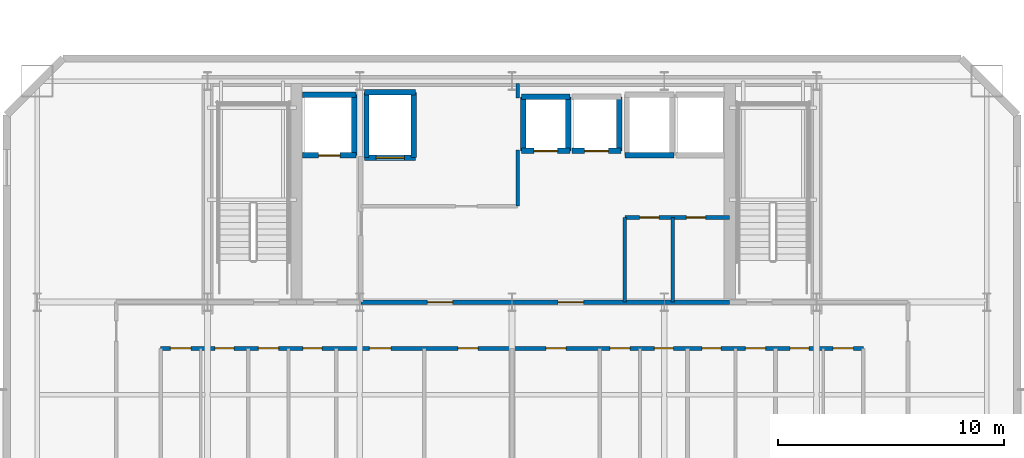
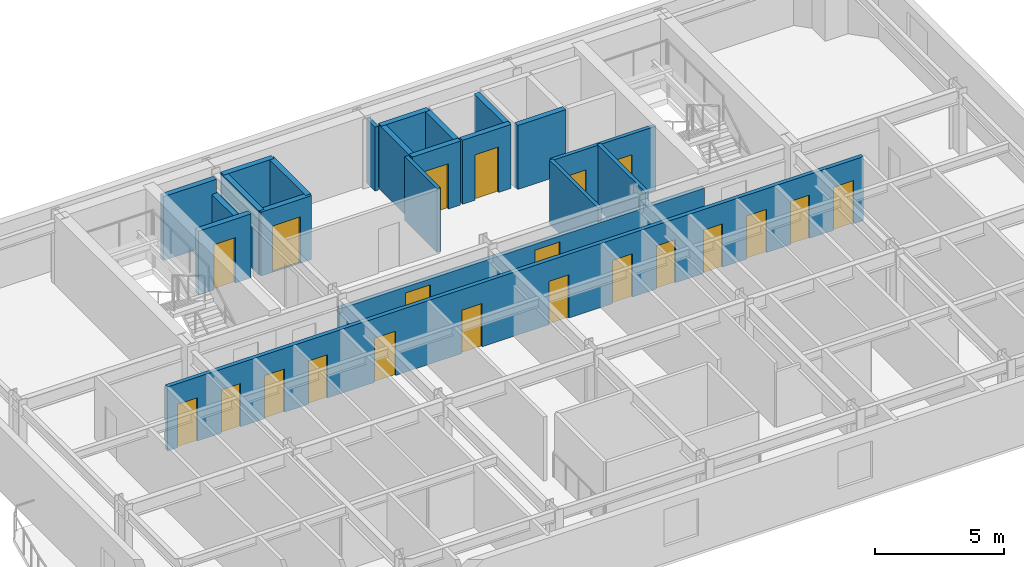
# One storey, part 6 of 14: 21 doors, 21 walls, 21 openings.
"""IFC4 building model written with IfcOpenShell, lengths in metres."""

import ifcopenshell
import ifcopenshell.guid

model = None  # the IFC model being written
_history = None  # IfcOwnerHistory: only IFC2X3 demands one
_inside = {}  # id of a spatial element -> (the spatial element, [elements in it])
_under = {}  # id of a project, library or spatial element -> (it, [spatial elements below it])
_declared = {}  # id of a project -> (the project, [libraries it declares])
_typed = {}  # id of a type object -> (the type object, [elements of that type])
_made_of = {}  # id of a material, layer set ... -> (it, [elements and type objects made of it])


def new_model(schema):
    """Start an empty IFC model of exactly this schema.

    Asked for "IFC4X3", IfcOpenShell would pick the latest addendum, in which some entities
    have other attributes; the version numbers below select the first issue.
    IFC2X3 requires an IfcOwnerHistory on every rooted entity: one is made here for all.
    """
    global model, _history
    if schema == "IFC4X3":
        model = ifcopenshell.file(schema_version=(4, 3, 0, 0))
    else:
        model = ifcopenshell.file(schema=schema)
    _inside.clear()
    _under.clear()
    _declared.clear()
    _typed.clear()
    _made_of.clear()
    _history = None
    if model.schema == "IFC2X3":
        org = make("IfcOrganization", Name="unknown")
        user = make(
            "IfcPersonAndOrganization",
            ThePerson=make("IfcPerson", FamilyName="unknown"),
            TheOrganization=org,
        )
        app = make(
            "IfcApplication",
            ApplicationDeveloper=org,
            Version="unknown",
            ApplicationFullName="unknown",
            ApplicationIdentifier="unknown",
        )
        _history = make(
            "IfcOwnerHistory",
            OwningUser=user,
            OwningApplication=app,
            ChangeAction="ADDED",
            CreationDate=0,
        )
    return model


def make(cls, **values):
    """One entity of the class cls with the attributes given. An attribute that is None is left unset."""
    return model.create_entity(
        cls, **{name: value for name, value in values.items() if value is not None}
    )


def rooted(cls, **values):
    """An entity with a GlobalId (a new one), such as an element, a storey or a relation."""
    return make(cls, GlobalId=ifcopenshell.guid.new(), OwnerHistory=_history, **values)


def si_unit(unit_type, name, prefix=None):
    """IfcSIUnit, for example si_unit("LENGTHUNIT", "METRE", prefix="MILLI")."""
    return make("IfcSIUnit", UnitType=unit_type, Prefix=prefix, Name=name)


def assignment(units):
    """IfcUnitAssignment: the units of a project."""
    return None if units is None else make("IfcUnitAssignment", Units=units)


def point(xyz):
    """IfcCartesianPoint."""
    return None if xyz is None else make("IfcCartesianPoint", Coordinates=xyz)


def direction(xyz):
    """IfcDirection."""
    return None if xyz is None else make("IfcDirection", DirectionRatios=xyz)


def frame(location, z_axis=None, x_axis=None):
    """IfcAxis2Placement3D, a coordinate frame: its origin and axes. An axis left out is left unset."""
    return make(
        "IfcAxis2Placement3D",
        Location=point(location),
        Axis=direction(z_axis),
        RefDirection=direction(x_axis),
    )


def frame_2d(location, x_axis=None):
    """IfcAxis2Placement2D, a coordinate frame in the plane: its origin and x axis."""
    return make(
        "IfcAxis2Placement2D", Location=point(location), RefDirection=direction(x_axis)
    )


def origin():
    """The frame at (0, 0, 0) with its axes left unset."""
    return frame((0.0, 0.0, 0.0))


def place(relative_to, where):
    """IfcLocalPlacement: puts the frame where relative to a parent placement (None: the world)."""
    return make(
        "IfcLocalPlacement", PlacementRelTo=relative_to, RelativePlacement=where
    )


def context(
    kind, dimensions, precision=None, world=None, true_north=None, identifier=None
):
    """IfcGeometricRepresentationContext, for example the 3D "Model" context."""
    return make(
        "IfcGeometricRepresentationContext",
        ContextIdentifier=identifier,
        ContextType=kind,
        CoordinateSpaceDimension=dimensions,
        Precision=precision,
        WorldCoordinateSystem=world,
        TrueNorth=true_north,
    )


def subcontext(parent, identifier, kind, view, scale=None):
    """IfcGeometricRepresentationSubContext, for example "Body" below "Model"."""
    return make(
        "IfcGeometricRepresentationSubContext",
        ContextIdentifier=identifier,
        ContextType=kind,
        ParentContext=parent,
        TargetScale=scale,
        TargetView=view,
    )


def project(units=None, contexts=None):
    """IfcProject with its units and contexts."""
    return rooted(
        "IfcProject",
        Name="project",
        RepresentationContexts=contexts,
        UnitsInContext=assignment(units),
    )


def spatial(cls, under=None, at=None, **own):
    """A site, building, storey or space (cls), placed at a placement, below another one or the project."""
    s = rooted(cls, ObjectPlacement=at, **own)
    if under is not None:
        _under.setdefault(under.id(), (under, []))[1].append(s)
    return s


def profile(cls, at=None, kind="AREA", **sizes):
    """A parametric profile (cls). Its sizes go by their IFC names, for example OverallWidth=200.0."""
    return make(cls, ProfileType=kind, Position=at, **sizes)


def rectangle(**sizes):
    """IfcRectangleProfileDef."""
    return profile("IfcRectangleProfileDef", **sizes)


def extrude(swept, where, along, depth):
    """IfcExtrudedAreaSolid: the profile swept, set in the frame where, extruded along a direction by depth."""
    return make(
        "IfcExtrudedAreaSolid",
        SweptArea=swept,
        Position=where,
        ExtrudedDirection=direction(along),
        Depth=depth,
    )


def shape(context_of_items, identifier, shape_type, items):
    """IfcShapeRepresentation: the items that make up one representation, for example the "Body"."""
    return make(
        "IfcShapeRepresentation",
        ContextOfItems=context_of_items,
        RepresentationIdentifier=identifier,
        RepresentationType=shape_type,
        Items=items,
    )


def material(Name=None, Category=None):
    """IfcMaterial."""
    return make("IfcMaterial", Name=Name, Category=Category)


def layer(
    of_material, thickness, ventilated=None, Name=None, Category=None, Priority=None
):
    """IfcMaterialLayer: one layer of a wall or slab, of a material (None: an air gap)."""
    return make(
        "IfcMaterialLayer",
        Material=of_material,
        LayerThickness=thickness,
        IsVentilated=ventilated,
        Name=Name,
        Category=Category,
        Priority=Priority,
    )


def layer_set(layers, Name=None):
    """IfcMaterialLayerSet."""
    return make("IfcMaterialLayerSet", MaterialLayers=layers, LayerSetName=Name)


def made_of(thing, what):
    """Note that an element or type object is made of a material, layer set ...; save() writes the relation."""
    if what is not None:
        _made_of.setdefault(what.id(), (what, []))[1].append(thing)
    return thing


def type_object(cls, material=None, **own):
    """A type object (cls), such as IfcWallType, which elements share."""
    return made_of(rooted(cls, **own), material)


def element(
    cls,
    number,
    at=None,
    inside=None,
    cuts=None,
    type_object=None,
    material=None,
    context=None,
    identifier="Body",
    shape_type=None,
    held_by="IfcProductDefinitionShape",
    body=None,
    shapes=None,
    **own,
):
    """One element of the class cls, such as IfcWall. Its Tag is "e" and its number.

    at: its placement. inside: the storey or other place that contains it. cuts: it is an
    opening in that element (IfcRelVoidsElement). A single representation is given by context,
    identifier, shape_type and body (its items); several are given by shapes. held_by: the class
    of the entity that holds the representations. save() writes the other relations.
    """
    e = rooted(cls, Tag="e%d" % number, ObjectPlacement=at, **own)
    if body is not None:
        shapes = [shape(context, identifier, shape_type, body)]
    if shapes is not None:
        e.Representation = make(held_by, Representations=shapes)
    if inside is not None:
        _inside.setdefault(inside.id(), (inside, []))[1].append(e)
    if cuts is not None:
        rooted(
            "IfcRelVoidsElement", RelatingBuildingElement=cuts, RelatedOpeningElement=e
        )
    if type_object is not None:
        _typed.setdefault(type_object.id(), (type_object, []))[1].append(e)
    return made_of(e, material)


def fill(opening, filler):
    """IfcRelFillsElement: the door or window that sits in an opening."""
    return rooted(
        "IfcRelFillsElement",
        RelatingOpeningElement=opening,
        RelatedBuildingElement=filler,
    )


def aggregate(whole, parts):
    """IfcRelAggregates: a whole, such as a stair, and the parts it consists of."""
    return rooted("IfcRelAggregates", RelatingObject=whole, RelatedObjects=parts)


def save(model, path):
    """Write the relations noted so far, then the file.

    IfcRelAggregates (storeys below a building ...), IfcRelContainedInSpatialStructure (elements
    in a storey), IfcRelDefinesByType, IfcRelAssociatesMaterial and IfcRelDeclares: one each for
    every whole, place, type object, material and project.
    """
    for whole, parts in _under.values():
        aggregate(whole, parts)
    for where, things in _inside.values():
        rooted(
            "IfcRelContainedInSpatialStructure",
            RelatedElements=things,
            RelatingStructure=where,
        )
    for kind, things in _typed.values():
        rooted("IfcRelDefinesByType", RelatedObjects=things, RelatingType=kind)
    for what, things in _made_of.values():
        rooted("IfcRelAssociatesMaterial", RelatedObjects=things, RelatingMaterial=what)
    for by, libraries in _declared.values():
        rooted("IfcRelDeclares", RelatingContext=by, RelatedDefinitions=libraries)
    model.write(path)


model = new_model("IFC4")

# Units and contexts
model_context = context("Model", 3, precision=1e-05, world=origin(), true_north=direction((0.0, 1.0)))
body_context = subcontext(model_context, "Body", "Model", "MODEL_VIEW")
ifc_project = project(units=[si_unit("LENGTHUNIT", "METRE"), si_unit("AREAUNIT", "SQUARE_METRE"), si_unit("VOLUMEUNIT", "CUBIC_METRE"), si_unit("PLANEANGLEUNIT", "RADIAN"), si_unit("MASSUNIT", "GRAM", prefix="KILO")], contexts=[model_context])

# Site, building, storey
site_placement = place(None, origin())
site = spatial("IfcSite", under=ifc_project, at=site_placement, CompositionType="ELEMENT")
building_placement = place(site_placement, origin())
building = spatial("IfcBuilding", under=site, at=building_placement, Name="Haevon Station Towers", CompositionType="ELEMENT")
storey_placement = place(building_placement, frame((0.0, 0.0, 116.39990234375)))
storey = spatial("IfcBuildingStorey", under=building, at=storey_placement, Name="L31", CompositionType="ELEMENT", Elevation=116.39990234375)

# Wall, openings, doors
ifc_material_1 = material(Name="Gypsum board on steel stud", Category="steel")
ifc_layer_1 = layer(ifc_material_1, 0.179931640625)
ifc_layer_set_1 = layer_set([ifc_layer_1], Name="Gypsum board on steel stud")
wall_type_1 = type_object("IfcWallType", Name="WL-ACU180", PredefinedType="PARTITIONING", material=ifc_layer_set_1)
wall_1_placement = place(storey_placement, frame((21.919921875, 36.14990234375, 0.0), z_axis=(0.0, 0.0, 1.0), x_axis=(1.0, 0.0, 0.0)))
wall_1 = element("IfcWall", 1, at=wall_1_placement, inside=storey, type_object=wall_type_1, Name="WL-T1PT-L31-30", PredefinedType="PARTITIONING", context=body_context, shape_type="SweptSolid", body=[
    extrude(rectangle(XDim=31.16015625, YDim=0.179931640625, at=frame_2d((15.580078125, 0.0))), origin(), (0.0, 0.0, 1.0), 3.030029296875),
])
opening_1_placement = place(wall_1_placement, frame((2.412109375, 0.0, 0.0)))
opening_1 = element("IfcOpeningElement", 2, at=opening_1_placement, cuts=wall_1, Name="Opening DR-WL-T1PT-L31-30-01", PredefinedType="OPENING", context=body_context, shape_type="SweptSolid", body=[
    extrude(rectangle(XDim=0.85009765625, YDim=2.050048828125, at=frame_2d((0.425048828125, 1.02490234375))), frame((0.0, 0.099853515625, 0.0), z_axis=(0.0, -1.0, 0.0), x_axis=(1.0, 0.0, 0.0)), (0.0, 0.0, 1.0), 0.199951171875),
])
opening_2_placement = place(wall_1_placement, frame((0.43994140625, 0.0, 0.0)))
opening_2 = element("IfcOpeningElement", 3, at=opening_2_placement, cuts=wall_1, Name="Opening DR-WL-T1PT-L31-30-02", PredefinedType="OPENING", context=body_context, shape_type="SweptSolid", body=[
    extrude(rectangle(XDim=0.89990234375, YDim=2.050048828125, at=frame_2d((0.449951171875, 1.02490234375))), frame((0.0, 0.099853515625, 0.0), z_axis=(0.0, -1.0, 0.0), x_axis=(1.0, 0.0, 0.0)), (0.0, 0.0, 1.0), 0.199951171875),
])
opening_3_placement = place(wall_1_placement, frame((6.306884765625, 0.0, 0.0)))
opening_3 = element("IfcOpeningElement", 4, at=opening_3_placement, cuts=wall_1, Name="Opening DR-WL-T1PT-L31-30-03", PredefinedType="OPENING", context=body_context, shape_type="SweptSolid", body=[
    extrude(rectangle(XDim=0.85009765625, YDim=2.050048828125, at=frame_2d((0.425048828125, 1.02490234375))), frame((0.0, 0.099853515625, 0.0), z_axis=(0.0, -1.0, 0.0), x_axis=(1.0, 0.0, 0.0)), (0.0, 0.0, 1.0), 0.199951171875),
])
opening_4_placement = place(wall_1_placement, frame((4.3349609375, 0.0, 0.0)))
opening_4 = element("IfcOpeningElement", 5, at=opening_4_placement, cuts=wall_1, Name="Opening DR-WL-T1PT-L31-30-04", PredefinedType="OPENING", context=body_context, shape_type="SweptSolid", body=[
    extrude(rectangle(XDim=0.89990234375, YDim=2.050048828125, at=frame_2d((0.449951171875, 1.02490234375))), frame((0.0, 0.099853515625, 0.0), z_axis=(0.0, -1.0, 0.0), x_axis=(1.0, 0.0, 0.0)), (0.0, 0.0, 1.0), 0.199951171875),
])
opening_5_placement = place(wall_1_placement, frame((9.261962890625, 0.0, 0.0)))
opening_5 = element("IfcOpeningElement", 6, at=opening_5_placement, cuts=wall_1, Name="Opening DR-WL-T1PT-L31-30-05", PredefinedType="OPENING", context=body_context, shape_type="SweptSolid", body=[
    extrude(rectangle(XDim=0.949951171875, YDim=2.10009765625, at=frame_2d((0.47509765625, 1.050048828125))), frame((0.0, 0.099853515625, 0.0), z_axis=(0.0, -1.0, 0.0), x_axis=(1.0, 0.0, 0.0)), (0.0, 0.0, 1.0), 0.199951171875),
])
opening_6_placement = place(wall_1_placement, frame((13.181884765625, 0.0, 0.0)))
opening_6 = element("IfcOpeningElement", 7, at=opening_6_placement, cuts=wall_1, Name="Opening DR-WL-T1PT-L31-30-06", PredefinedType="OPENING", context=body_context, shape_type="SweptSolid", body=[
    extrude(rectangle(XDim=0.89990234375, YDim=2.050048828125, at=frame_2d((0.449951171875, 1.02490234375))), frame((0.0, 0.099853515625, 0.0), z_axis=(0.0, -1.0, 0.0), x_axis=(1.0, 0.0, 0.0)), (0.0, 0.0, 1.0), 0.199951171875),
])
opening_7_placement = place(wall_1_placement, frame((17.077880859375, 0.0, 0.0)))
opening_7 = element("IfcOpeningElement", 8, at=opening_7_placement, cuts=wall_1, Name="Opening DR-WL-T1PT-L31-30-07", PredefinedType="OPENING", context=body_context, shape_type="SweptSolid", body=[
    extrude(rectangle(XDim=0.89990234375, YDim=2.050048828125, at=frame_2d((0.449951171875, 1.02490234375))), frame((0.0, 0.099853515625, 0.0), z_axis=(0.0, -1.0, 0.0), x_axis=(1.0, 0.0, 0.0)), (0.0, 0.0, 1.0), 0.199951171875),
])
opening_8_placement = place(wall_1_placement, frame((21.886962890625, 0.0, 0.0)))
opening_8 = element("IfcOpeningElement", 9, at=opening_8_placement, cuts=wall_1, Name="Opening DR-WL-T1PT-L31-30-08", PredefinedType="OPENING", context=body_context, shape_type="SweptSolid", body=[
    extrude(rectangle(XDim=0.85009765625, YDim=2.050048828125, at=frame_2d((0.425048828125, 1.02490234375))), frame((0.0, 0.099853515625, 0.0), z_axis=(0.0, -1.0, 0.0), x_axis=(1.0, 0.0, 0.0)), (0.0, 0.0, 1.0), 0.199951171875),
])
opening_9_placement = place(wall_1_placement, frame((19.9150390625, 0.0, 0.0)))
opening_9 = element("IfcOpeningElement", 10, at=opening_9_placement, cuts=wall_1, Name="Opening DR-WL-T1PT-L31-30-09", PredefinedType="OPENING", context=body_context, shape_type="SweptSolid", body=[
    extrude(rectangle(XDim=0.89990234375, YDim=2.050048828125, at=frame_2d((0.449951171875, 1.02490234375))), frame((0.0, 0.099853515625, 0.0), z_axis=(0.0, -1.0, 0.0), x_axis=(1.0, 0.0, 0.0)), (0.0, 0.0, 1.0), 0.199951171875),
])
opening_10_placement = place(wall_1_placement, frame((24.001953125, 0.0, 0.0)))
opening_10 = element("IfcOpeningElement", 11, at=opening_10_placement, cuts=wall_1, Name="Opening DR-WL-T1PT-L31-30-10", PredefinedType="OPENING", context=body_context, shape_type="SweptSolid", body=[
    extrude(rectangle(XDim=0.85009765625, YDim=2.050048828125, at=frame_2d((0.425048828125, 1.02490234375))), frame((0.0, 0.099853515625, 0.0), z_axis=(0.0, -1.0, 0.0), x_axis=(1.0, 0.0, 0.0)), (0.0, 0.0, 1.0), 0.199951171875),
])
opening_11_placement = place(wall_1_placement, frame((25.925048828125, 0.0, 0.0)))
opening_11 = element("IfcOpeningElement", 12, at=opening_11_placement, cuts=wall_1, Name="Opening DR-WL-T1PT-L31-30-11", PredefinedType="OPENING", context=body_context, shape_type="SweptSolid", body=[
    extrude(rectangle(XDim=0.89990234375, YDim=2.050048828125, at=frame_2d((0.449951171875, 1.02490234375))), frame((0.0, 0.099853515625, 0.0), z_axis=(0.0, -1.0, 0.0), x_axis=(1.0, 0.0, 0.0)), (0.0, 0.0, 1.0), 0.199951171875),
])
opening_12_placement = place(wall_1_placement, frame((27.89697265625, 0.0, 0.0)))
opening_12 = element("IfcOpeningElement", 13, at=opening_12_placement, cuts=wall_1, Name="Opening DR-WL-T1PT-L31-30-12", PredefinedType="OPENING", context=body_context, shape_type="SweptSolid", body=[
    extrude(rectangle(XDim=0.85009765625, YDim=2.050048828125, at=frame_2d((0.425048828125, 1.02490234375))), frame((0.0, 0.099853515625, 0.0), z_axis=(0.0, -1.0, 0.0), x_axis=(1.0, 0.0, 0.0)), (0.0, 0.0, 1.0), 0.199951171875),
])
opening_13_placement = place(wall_1_placement, frame((29.820068359375, 0.0, 0.0)))
opening_13 = element("IfcOpeningElement", 14, at=opening_13_placement, cuts=wall_1, Name="Opening DR-WL-T1PT-L31-30-13", PredefinedType="OPENING", context=body_context, shape_type="SweptSolid", body=[
    extrude(rectangle(XDim=0.89990234375, YDim=2.050048828125, at=frame_2d((0.449951171875, 1.02490234375))), frame((0.0, 0.099853515625, 0.0), z_axis=(0.0, -1.0, 0.0), x_axis=(1.0, 0.0, 0.0)), (0.0, 0.0, 1.0), 0.199951171875),
])
ifc_material_2 = material(Name="Engineered oak timber", Category="wood")
door_type_1 = type_object("IfcDoorType", Name="DR-FD30-850", OperationType="NOTDEFINED", PredefinedType="DOOR", material=ifc_material_2)
door_1_placement = place(opening_1_placement, origin())
door_1 = element("IfcDoor", 15, at=door_1_placement, inside=storey, type_object=door_type_1, Name="L31 Tower 1 Room Door 30-1", OperationType="SINGLE_SWING_RIGHT", OverallHeight=2.050048828125, OverallWidth=0.85009765625, PredefinedType="DOOR", context=body_context, shape_type="SweptSolid", body=[
    extrude(rectangle(XDim=0.85009765625, YDim=2.050048828125, at=frame_2d((0.425048828125, 1.02490234375))), frame((0.0, 0.02490234375, 0.0), z_axis=(0.0, -1.0, 0.0), x_axis=(1.0, 0.0, 0.0)), (0.0, 0.0, 1.0), 0.050048828125),
])
fill(opening_1, door_1)
door_2_placement = place(opening_3_placement, origin())
door_2 = element("IfcDoor", 16, at=door_2_placement, inside=storey, type_object=door_type_1, Name="L31 Tower 1 Room Door 30-3", OperationType="SINGLE_SWING_RIGHT", OverallHeight=2.050048828125, OverallWidth=0.85009765625, PredefinedType="DOOR", context=body_context, shape_type="SweptSolid", body=[
    extrude(rectangle(XDim=0.85009765625, YDim=2.050048828125, at=frame_2d((0.425048828125, 1.02490234375))), frame((0.0, 0.02490234375, 0.0), z_axis=(0.0, -1.0, 0.0), x_axis=(1.0, 0.0, 0.0)), (0.0, 0.0, 1.0), 0.050048828125),
])
fill(opening_3, door_2)
door_3_placement = place(opening_8_placement, origin())
door_3 = element("IfcDoor", 17, at=door_3_placement, inside=storey, type_object=door_type_1, Name="L31 Tower 1 Room Door 30-8", OperationType="SINGLE_SWING_LEFT", OverallHeight=2.050048828125, OverallWidth=0.85009765625, PredefinedType="DOOR", context=body_context, shape_type="SweptSolid", body=[
    extrude(rectangle(XDim=0.85009765625, YDim=2.050048828125, at=frame_2d((0.425048828125, 1.02490234375))), frame((0.0, 0.02490234375, 0.0), z_axis=(0.0, -1.0, 0.0), x_axis=(1.0, 0.0, 0.0)), (0.0, 0.0, 1.0), 0.050048828125),
])
fill(opening_8, door_3)
door_4_placement = place(opening_10_placement, origin())
door_4 = element("IfcDoor", 18, at=door_4_placement, inside=storey, type_object=door_type_1, Name="L31 Tower 1 Room Door 30-10", OperationType="SINGLE_SWING_LEFT", OverallHeight=2.050048828125, OverallWidth=0.85009765625, PredefinedType="DOOR", context=body_context, shape_type="SweptSolid", body=[
    extrude(rectangle(XDim=0.85009765625, YDim=2.050048828125, at=frame_2d((0.425048828125, 1.02490234375))), frame((0.0, 0.02490234375, 0.0), z_axis=(0.0, -1.0, 0.0), x_axis=(1.0, 0.0, 0.0)), (0.0, 0.0, 1.0), 0.050048828125),
])
fill(opening_10, door_4)
door_5_placement = place(opening_12_placement, origin())
door_5 = element("IfcDoor", 19, at=door_5_placement, inside=storey, type_object=door_type_1, Name="L31 Tower 1 Room Door 30-12", OperationType="SINGLE_SWING_LEFT", OverallHeight=2.050048828125, OverallWidth=0.85009765625, PredefinedType="DOOR", context=body_context, shape_type="SweptSolid", body=[
    extrude(rectangle(XDim=0.85009765625, YDim=2.050048828125, at=frame_2d((0.425048828125, 1.02490234375))), frame((0.0, 0.02490234375, 0.0), z_axis=(0.0, -1.0, 0.0), x_axis=(1.0, 0.0, 0.0)), (0.0, 0.0, 1.0), 0.050048828125),
])
fill(opening_12, door_5)
door_type_2 = type_object("IfcDoorType", Name="DR-FD30-950", OperationType="NOTDEFINED", PredefinedType="DOOR", material=ifc_material_2)
door_6_placement = place(opening_5_placement, origin())
door_6 = element("IfcDoor", 20, at=door_6_placement, inside=storey, type_object=door_type_2, Name="L31 Tower 1 Room Door 30-5", OperationType="SINGLE_SWING_RIGHT", OverallHeight=2.10009765625, OverallWidth=0.949951171875, PredefinedType="DOOR", context=body_context, shape_type="SweptSolid", body=[
    extrude(rectangle(XDim=0.949951171875, YDim=2.10009765625, at=frame_2d((0.47509765625, 1.050048828125))), frame((0.0, 0.02490234375, 0.0), z_axis=(0.0, -1.0, 0.0), x_axis=(1.0, 0.0, 0.0)), (0.0, 0.0, 1.0), 0.050048828125),
])
fill(opening_5, door_6)
door_type_3 = type_object("IfcDoorType", Name="DR-INT-900", OperationType="NOTDEFINED", PredefinedType="DOOR", material=ifc_material_2)
door_7_placement = place(opening_2_placement, origin())
door_7 = element("IfcDoor", 21, at=door_7_placement, inside=storey, type_object=door_type_3, Name="L31 Tower 1 Room Door 30-2", OperationType="SINGLE_SWING_LEFT", OverallHeight=2.050048828125, OverallWidth=0.89990234375, PredefinedType="DOOR", context=body_context, shape_type="SweptSolid", body=[
    extrude(rectangle(XDim=0.89990234375, YDim=2.050048828125, at=frame_2d((0.449951171875, 1.02490234375))), frame((0.0, 0.02490234375, 0.0), z_axis=(0.0, -1.0, 0.0), x_axis=(1.0, 0.0, 0.0)), (0.0, 0.0, 1.0), 0.050048828125),
])
fill(opening_2, door_7)
door_8_placement = place(opening_4_placement, origin())
door_8 = element("IfcDoor", 22, at=door_8_placement, inside=storey, type_object=door_type_3, Name="L31 Tower 1 Room Door 30-4", OperationType="SINGLE_SWING_LEFT", OverallHeight=2.050048828125, OverallWidth=0.89990234375, PredefinedType="DOOR", context=body_context, shape_type="SweptSolid", body=[
    extrude(rectangle(XDim=0.89990234375, YDim=2.050048828125, at=frame_2d((0.449951171875, 1.02490234375))), frame((0.0, 0.02490234375, 0.0), z_axis=(0.0, -1.0, 0.0), x_axis=(1.0, 0.0, 0.0)), (0.0, 0.0, 1.0), 0.050048828125),
])
fill(opening_4, door_8)
door_9_placement = place(opening_6_placement, origin())
door_9 = element("IfcDoor", 23, at=door_9_placement, inside=storey, type_object=door_type_3, Name="L31 Tower 1 Room Door 30-6", OperationType="SINGLE_SWING_LEFT", OverallHeight=2.050048828125, OverallWidth=0.89990234375, PredefinedType="DOOR", context=body_context, shape_type="SweptSolid", body=[
    extrude(rectangle(XDim=0.89990234375, YDim=2.050048828125, at=frame_2d((0.449951171875, 1.02490234375))), frame((0.0, 0.02490234375, 0.0), z_axis=(0.0, -1.0, 0.0), x_axis=(1.0, 0.0, 0.0)), (0.0, 0.0, 1.0), 0.050048828125),
])
fill(opening_6, door_9)
door_10_placement = place(opening_7_placement, origin())
door_10 = element("IfcDoor", 24, at=door_10_placement, inside=storey, type_object=door_type_3, Name="L31 Tower 1 Room Door 30-7", OperationType="SINGLE_SWING_RIGHT", OverallHeight=2.050048828125, OverallWidth=0.89990234375, PredefinedType="DOOR", context=body_context, shape_type="SweptSolid", body=[
    extrude(rectangle(XDim=0.89990234375, YDim=2.050048828125, at=frame_2d((0.449951171875, 1.02490234375))), frame((0.0, 0.02490234375, 0.0), z_axis=(0.0, -1.0, 0.0), x_axis=(1.0, 0.0, 0.0)), (0.0, 0.0, 1.0), 0.050048828125),
])
fill(opening_7, door_10)
door_11_placement = place(opening_9_placement, origin())
door_11 = element("IfcDoor", 25, at=door_11_placement, inside=storey, type_object=door_type_3, Name="L31 Tower 1 Room Door 30-9", OperationType="SINGLE_SWING_RIGHT", OverallHeight=2.050048828125, OverallWidth=0.89990234375, PredefinedType="DOOR", context=body_context, shape_type="SweptSolid", body=[
    extrude(rectangle(XDim=0.89990234375, YDim=2.050048828125, at=frame_2d((0.449951171875, 1.02490234375))), frame((0.0, 0.02490234375, 0.0), z_axis=(0.0, -1.0, 0.0), x_axis=(1.0, 0.0, 0.0)), (0.0, 0.0, 1.0), 0.050048828125),
])
fill(opening_9, door_11)
door_12_placement = place(opening_11_placement, origin())
door_12 = element("IfcDoor", 26, at=door_12_placement, inside=storey, type_object=door_type_3, Name="L31 Tower 1 Room Door 30-11", OperationType="SINGLE_SWING_RIGHT", OverallHeight=2.050048828125, OverallWidth=0.89990234375, PredefinedType="DOOR", context=body_context, shape_type="SweptSolid", body=[
    extrude(rectangle(XDim=0.89990234375, YDim=2.050048828125, at=frame_2d((0.449951171875, 1.02490234375))), frame((0.0, 0.02490234375, 0.0), z_axis=(0.0, -1.0, 0.0), x_axis=(1.0, 0.0, 0.0)), (0.0, 0.0, 1.0), 0.050048828125),
])
fill(opening_11, door_12)
door_13_placement = place(opening_13_placement, origin())
door_13 = element("IfcDoor", 27, at=door_13_placement, inside=storey, type_object=door_type_3, Name="L31 Tower 1 Room Door 30-13", OperationType="SINGLE_SWING_RIGHT", OverallHeight=2.050048828125, OverallWidth=0.89990234375, PredefinedType="DOOR", context=body_context, shape_type="SweptSolid", body=[
    extrude(rectangle(XDim=0.89990234375, YDim=2.050048828125, at=frame_2d((0.449951171875, 1.02490234375))), frame((0.0, 0.02490234375, 0.0), z_axis=(0.0, -1.0, 0.0), x_axis=(1.0, 0.0, 0.0)), (0.0, 0.0, 1.0), 0.050048828125),
])
fill(opening_13, door_13)

ifc_layer_2 = layer(ifc_material_1, 0.199951171875)
ifc_layer_set_2 = layer_set([ifc_layer_2], Name="Gypsum board on steel stud")
wall_type_2 = type_object("IfcWallType", Name="WL-COR200", PredefinedType="PARTITIONING", material=ifc_layer_set_2)
wall_2_placement = place(storey_placement, frame((30.800048828125, 38.199951171875, 0.0), z_axis=(0.0, 0.0, 1.0), x_axis=(1.0, 0.0, 0.0)))
wall_2 = element("IfcWall", 28, at=wall_2_placement, inside=storey, type_object=wall_type_2, Name="WL-T1CLB-L31", PredefinedType="PARTITIONING", context=body_context, shape_type="SweptSolid", body=[
    extrude(rectangle(XDim=16.349853515625, YDim=0.199951171875, at=frame_2d((8.1748046875, 0.0))), origin(), (0.0, 0.0, 1.0), 2.380126953125),
])
opening_14_placement = place(wall_2_placement, frame((2.949951171875, 0.0, 0.0)))
opening_14 = element("IfcOpeningElement", 29, at=opening_14_placement, cuts=wall_2, Name="Opening DR-T1CLB-L31-1", PredefinedType="OPENING", context=body_context, shape_type="SweptSolid", body=[
    extrude(rectangle(XDim=1.1201171875, YDim=2.10009765625, at=frame_2d((0.56005859375, 1.050048828125))), frame((0.0, 0.10986328125, 0.0), z_axis=(0.0, -1.0, 0.0), x_axis=(1.0, 0.0, 0.0)), (0.0, 0.0, 1.0), 0.219970703125),
])
opening_15_placement = place(wall_2_placement, frame((8.75, 0.0, 0.0)))
opening_15 = element("IfcOpeningElement", 30, at=opening_15_placement, cuts=wall_2, Name="Opening DR-T1CLB-L31-2", PredefinedType="OPENING", context=body_context, shape_type="SweptSolid", body=[
    extrude(rectangle(XDim=1.1201171875, YDim=2.10009765625, at=frame_2d((0.56005859375, 1.050048828125))), frame((0.0, 0.10986328125, 0.0), z_axis=(0.0, -1.0, 0.0), x_axis=(1.0, 0.0, 0.0)), (0.0, 0.0, 1.0), 0.219970703125),
])
door_type_4 = type_object("IfcDoorType", Name="DR-ST-1120", OperationType="NOTDEFINED", PredefinedType="DOOR", material=ifc_material_2)
door_14_placement = place(opening_14_placement, origin())
door_14 = element("IfcDoor", 31, at=door_14_placement, inside=storey, type_object=door_type_4, Name="L31 Tower 1 Core Lift Lobby Door 1", OperationType="SINGLE_SWING_LEFT", OverallHeight=2.10009765625, OverallWidth=1.1201171875, PredefinedType="DOOR", context=body_context, shape_type="SweptSolid", body=[
    extrude(rectangle(XDim=1.1201171875, YDim=2.10009765625, at=frame_2d((0.56005859375, 1.050048828125))), frame((0.0, 0.02490234375, 0.0), z_axis=(0.0, -1.0, 0.0), x_axis=(1.0, 0.0, 0.0)), (0.0, 0.0, 1.0), 0.050048828125),
])
fill(opening_14, door_14)
door_15_placement = place(opening_15_placement, origin())
door_15 = element("IfcDoor", 32, at=door_15_placement, inside=storey, type_object=door_type_4, Name="L31 Tower 1 Core Lift Lobby Door 2", OperationType="SINGLE_SWING_RIGHT", OverallHeight=2.10009765625, OverallWidth=1.1201171875, PredefinedType="DOOR", context=body_context, shape_type="SweptSolid", body=[
    extrude(rectangle(XDim=1.1201171875, YDim=2.10009765625, at=frame_2d((0.56005859375, 1.050048828125))), frame((0.0, 0.02490234375, 0.0), z_axis=(0.0, -1.0, 0.0), x_axis=(1.0, 0.0, 0.0)), (0.0, 0.0, 1.0), 0.050048828125),
])
fill(opening_15, door_15)

# Walls
ifc_layer_3 = layer(ifc_material_1, 0.159912109375)
ifc_layer_set_3 = layer_set([ifc_layer_3], Name="Gypsum board on steel stud")
wall_type_3 = type_object("IfcWallType", Name="WL-PRT160", PredefinedType="PARTITIONING", material=ifc_layer_set_3)
wall_3_placement = place(storey_placement, frame((37.75, 42.449951171875, 0.0), z_axis=(0.0, 0.0, 1.0), x_axis=(0.0, 1.0, 0.0)))
element("IfcWall", 33, at=wall_3_placement, inside=storey, type_object=wall_type_3, Name="WL-T1CW-L31-02", PredefinedType="PARTITIONING", context=body_context, shape_type="SweptSolid", body=[
    extrude(rectangle(XDim=2.5, YDim=0.159912109375, at=frame_2d((1.25, 0.0))), origin(), (0.0, 0.0, 1.0), 3.030029296875),
])
wall_4_placement = place(storey_placement, frame((37.75, 47.25, 0.0), z_axis=(0.0, 0.0, 1.0), x_axis=(0.0, 1.0, 0.0)))
element("IfcWall", 34, at=wall_4_placement, inside=storey, type_object=wall_type_3, Name="WL-T1CW-L31-03", PredefinedType="PARTITIONING", context=body_context, shape_type="SweptSolid", body=[
    extrude(rectangle(XDim=0.64990234375, YDim=0.159912109375, at=frame_2d((0.324951171875, 0.0))), origin(), (0.0, 0.0, 1.0), 3.030029296875),
])
for number, where, z_axis, x_axis, name in (
    (35, (42.5, 38.199951171875, 0.0), (0.0, 0.0, 1.0), (0.0, 1.0, 0.0), "WL-T1CW-L31-04"),
    (36, (44.6298828125, 38.199951171875, 0.0), (0.0, 0.0, 1.0), (0.0, 1.0, 0.0), "WL-T1CW-L31-05"),
):
    element("IfcWall", number, at=place(storey_placement, frame(where, z_axis=z_axis, x_axis=x_axis)), inside=storey, type_object=wall_type_3, Name=name, PredefinedType="PARTITIONING", context=body_context, shape_type="SweptSolid", body=[
        extrude(rectangle(XDim=3.75, YDim=0.159912109375, at=frame_2d((1.875, 0.0))), origin(), (0.0, 0.0, 1.0), 3.030029296875),
    ])

# Wall, openings, doors
wall_5_placement = place(storey_placement, frame((42.5, 41.949951171875, 0.0), z_axis=(0.0, 0.0, 1.0), x_axis=(1.0, 0.0, 0.0)))
wall_5 = element("IfcWall", 37, at=wall_5_placement, inside=storey, type_object=wall_type_3, Name="WL-T1CW-L31-06", PredefinedType="PARTITIONING", context=body_context, shape_type="SweptSolid", body=[
    extrude(rectangle(XDim=4.64990234375, YDim=0.159912109375, at=frame_2d((2.324951171875, 0.0))), origin(), (0.0, 0.0, 1.0), 3.030029296875),
])
opening_16_placement = place(wall_5_placement, frame((0.659912109375, 0.0, 0.0)))
opening_16 = element("IfcOpeningElement", 38, at=opening_16_placement, cuts=wall_5, Name="Opening DR-WL-T1CW-L31-06-1", PredefinedType="OPENING", context=body_context, shape_type="SweptSolid", body=[
    extrude(rectangle(XDim=0.85009765625, YDim=2.050048828125, at=frame_2d((0.425048828125, 1.02490234375))), frame((0.0, 0.08984375, 0.0), z_axis=(0.0, -1.0, 0.0), x_axis=(1.0, 0.0, 0.0)), (0.0, 0.0, 1.0), 0.179931640625),
])
opening_17_placement = place(wall_5_placement, frame((2.72998046875, 0.0, 0.0)))
opening_17 = element("IfcOpeningElement", 39, at=opening_17_placement, cuts=wall_5, Name="Opening DR-WL-T1CW-L31-06-2", PredefinedType="OPENING", context=body_context, shape_type="SweptSolid", body=[
    extrude(rectangle(XDim=0.85009765625, YDim=2.050048828125, at=frame_2d((0.425048828125, 1.02490234375))), frame((0.0, 0.08984375, 0.0), z_axis=(0.0, -1.0, 0.0), x_axis=(1.0, 0.0, 0.0)), (0.0, 0.0, 1.0), 0.179931640625),
])
door_16_placement = place(opening_16_placement, origin())
door_16 = element("IfcDoor", 40, at=door_16_placement, inside=storey, type_object=door_type_1, Name="L31 Tower 1 Core Room Door 6-1", OperationType="SINGLE_SWING_RIGHT", OverallHeight=2.050048828125, OverallWidth=0.85009765625, PredefinedType="DOOR", context=body_context, shape_type="SweptSolid", body=[
    extrude(rectangle(XDim=0.85009765625, YDim=2.050048828125, at=frame_2d((0.425048828125, 1.02490234375))), frame((0.0, 0.02490234375, 0.0), z_axis=(0.0, -1.0, 0.0), x_axis=(1.0, 0.0, 0.0)), (0.0, 0.0, 1.0), 0.050048828125),
])
fill(opening_16, door_16)
door_17_placement = place(opening_17_placement, origin())
door_17 = element("IfcDoor", 41, at=door_17_placement, inside=storey, type_object=door_type_1, Name="L31 Tower 1 Core Room Door 6-2", OperationType="SINGLE_SWING_LEFT", OverallHeight=2.050048828125, OverallWidth=0.85009765625, PredefinedType="DOOR", context=body_context, shape_type="SweptSolid", body=[
    extrude(rectangle(XDim=0.85009765625, YDim=2.050048828125, at=frame_2d((0.425048828125, 1.02490234375))), frame((0.0, 0.02490234375, 0.0), z_axis=(0.0, -1.0, 0.0), x_axis=(1.0, 0.0, 0.0)), (0.0, 0.0, 1.0), 0.050048828125),
])
fill(opening_17, door_17)

# Wall, opening, door
ifc_material_3 = material(Name="Concrete C40/50", Category="concrete")
ifc_layer_4 = layer(ifc_material_3, 0.239990234375)
ifc_layer_set_4 = layer_set([ifc_layer_4], Name="Concrete C40/50")
wall_type_4 = type_object("IfcWallType", Name="WL-SHF240", PredefinedType="PARTITIONING", material=ifc_layer_set_4)
wall_6_placement = place(storey_placement, frame((28.219970703125, 44.699951171875, 0.0), z_axis=(0.0, 0.0, 1.0), x_axis=(1.0, 0.0, 0.0)))
wall_6 = element("IfcWall", 42, at=wall_6_placement, inside=storey, type_object=wall_type_4, Name="WL-SHF-FL1-L31", PredefinedType="PARTITIONING", context=body_context, shape_type="SweptSolid", body=[
    extrude(rectangle(XDim=2.360107421875, YDim=0.239990234375, at=frame_2d((1.18017578125, 0.0))), origin(), (0.0, 0.0, 1.0), 3.030029296875),
])
opening_18_placement = place(wall_6_placement, frame((0.705078125, 0.0, 0.0)))
opening_18 = element("IfcOpeningElement", 43, at=opening_18_placement, cuts=wall_6, Name="Opening LD-FL1-L31", PredefinedType="OPENING", context=body_context, shape_type="SweptSolid", body=[
    extrude(rectangle(XDim=0.949951171875, YDim=2.14990234375, at=frame_2d((0.47509765625, 1.074951171875))), frame((0.0, 0.1298828125, 0.0), z_axis=(0.0, -1.0, 0.0), x_axis=(1.0, 0.0, 0.0)), (0.0, 0.0, 1.0), 0.260009765625),
])
ifc_material_4 = material(Name="Stainless steel and rated core", Category="steel")
door_type_5 = type_object("IfcDoorType", Name="LD-FL950", OperationType="SLIDING_TO_LEFT", PredefinedType="DOOR", material=ifc_material_4)
door_18_placement = place(opening_18_placement, origin())
door_18 = element("IfcDoor", 44, at=door_18_placement, inside=storey, type_object=door_type_5, Name="L31 Lift FL1 Sliding Landing Door", OperationType="SLIDING_TO_LEFT", OverallHeight=2.14990234375, OverallWidth=0.949951171875, PredefinedType="DOOR", context=body_context, shape_type="SweptSolid", body=[
    extrude(rectangle(XDim=0.949951171875, YDim=2.14990234375, at=frame_2d((0.47509765625, 1.074951171875))), frame((0.0, 0.02490234375, 0.0), z_axis=(0.0, -1.0, 0.0), x_axis=(1.0, 0.0, 0.0)), (0.0, 0.0, 1.0), 0.050048828125),
])
fill(opening_18, door_18)

# Walls
wall_7_placement = place(storey_placement, frame((28.219970703125, 47.39990234375, 0.0), z_axis=(0.0, 0.0, 1.0), x_axis=(1.0, 0.0, 0.0)))
element("IfcWall", 45, at=wall_7_placement, inside=storey, type_object=wall_type_4, Name="WL-SHF-FL1-L31-N", PredefinedType="PARTITIONING", context=body_context, shape_type="SweptSolid", body=[
    extrude(rectangle(XDim=2.360107421875, YDim=0.239990234375, at=frame_2d((1.18017578125, 0.0))), origin(), (0.0, 0.0, 1.0), 3.030029296875),
])
wall_8_placement = place(storey_placement, frame((30.5, 44.699951171875, 0.0), z_axis=(0.0, 0.0, 1.0), x_axis=(0.0, 1.0, 0.0)))
element("IfcWall", 46, at=wall_8_placement, inside=storey, type_object=wall_type_4, Name="WL-SHF-FL1-L31-E", PredefinedType="PARTITIONING", context=body_context, shape_type="SweptSolid", body=[
    extrude(rectangle(XDim=2.699951171875, YDim=0.239990234375, at=frame_2d((1.35009765625, 0.0))), origin(), (0.0, 0.0, 1.0), 2.380126953125),
])

# Wall, opening, door
wall_9_placement = place(storey_placement, frame((30.969970703125, 44.60009765625, 0.0), z_axis=(0.0, 0.0, 1.0), x_axis=(1.0, 0.0, 0.0)))
wall_9 = element("IfcWall", 47, at=wall_9_placement, inside=storey, type_object=wall_type_4, Name="WL-SHF-SL1-L31", PredefinedType="PARTITIONING", context=body_context, shape_type="SweptSolid", body=[
    extrude(rectangle(XDim=2.260009765625, YDim=0.239990234375, at=frame_2d((1.1298828125, 0.0))), origin(), (0.0, 0.0, 1.0), 3.030029296875),
])
opening_19_placement = place(wall_9_placement, frame((0.5048828125, 0.0, 0.0)))
opening_19 = element("IfcOpeningElement", 48, at=opening_19_placement, cuts=wall_9, Name="Opening LD-SL1-L31", PredefinedType="OPENING", context=body_context, shape_type="SweptSolid", body=[
    extrude(rectangle(XDim=1.25, YDim=2.199951171875, at=frame_2d((0.625, 1.10009765625))), frame((0.0, 0.1298828125, 0.0), z_axis=(0.0, -1.0, 0.0), x_axis=(1.0, 0.0, 0.0)), (0.0, 0.0, 1.0), 0.260009765625),
])
door_type_6 = type_object("IfcDoorType", Name="LD-SL1250", OperationType="SLIDING_TO_LEFT", PredefinedType="DOOR", material=ifc_material_4)
door_19_placement = place(opening_19_placement, origin())
door_19 = element("IfcDoor", 49, at=door_19_placement, inside=storey, type_object=door_type_6, Name="L31 Lift SL1 Sliding Landing Door", OperationType="SLIDING_TO_LEFT", OverallHeight=2.199951171875, OverallWidth=1.25, PredefinedType="DOOR", context=body_context, shape_type="SweptSolid", body=[
    extrude(rectangle(XDim=1.25, YDim=2.199951171875, at=frame_2d((0.625, 1.10009765625))), frame((0.0, 0.02490234375, 0.0), z_axis=(0.0, -1.0, 0.0), x_axis=(1.0, 0.0, 0.0)), (0.0, 0.0, 1.0), 0.050048828125),
])
fill(opening_19, door_19)

# Walls
wall_10_placement = place(storey_placement, frame((30.969970703125, 47.5, 0.0), z_axis=(0.0, 0.0, 1.0), x_axis=(1.0, 0.0, 0.0)))
element("IfcWall", 50, at=wall_10_placement, inside=storey, type_object=wall_type_4, Name="WL-SHF-SL1-L31-N", PredefinedType="PARTITIONING", context=body_context, shape_type="SweptSolid", body=[
    extrude(rectangle(XDim=2.260009765625, YDim=0.239990234375, at=frame_2d((1.1298828125, 0.0))), origin(), (0.0, 0.0, 1.0), 3.030029296875),
])
for number, where, z_axis, x_axis, name in (
    (51, (31.050048828125, 44.60009765625, 0.0), (0.0, 0.0, 1.0), (0.0, 1.0, 0.0), "WL-SHF-SL1-L31-W"),
    (52, (33.14990234375, 44.60009765625, 0.0), (0.0, 0.0, 1.0), (0.0, 1.0, 0.0), "WL-SHF-SL1-L31-E"),
):
    element("IfcWall", number, at=place(storey_placement, frame(where, z_axis=z_axis, x_axis=x_axis)), inside=storey, type_object=wall_type_4, Name=name, PredefinedType="PARTITIONING", context=body_context, shape_type="SweptSolid", body=[
        extrude(rectangle(XDim=2.89990234375, YDim=0.239990234375, at=frame_2d((1.449951171875, 0.0))), origin(), (0.0, 0.0, 1.0), 3.030029296875),
    ])

# Wall, opening, door
wall_11_placement = place(storey_placement, frame((37.919921875, 44.89990234375, 0.0), z_axis=(0.0, 0.0, 1.0), x_axis=(1.0, 0.0, 0.0)))
wall_11 = element("IfcWall", 53, at=wall_11_placement, inside=storey, type_object=wall_type_4, Name="WL-SHF-PL3-L31", PredefinedType="PARTITIONING", context=body_context, shape_type="SweptSolid", body=[
    extrude(rectangle(XDim=2.16015625, YDim=0.239990234375, at=frame_2d((1.080078125, 0.0))), origin(), (0.0, 0.0, 1.0), 3.030029296875),
])
opening_20_placement = place(wall_11_placement, frame((0.554931640625, 0.0, 0.0)))
opening_20 = element("IfcOpeningElement", 54, at=opening_20_placement, cuts=wall_11, Name="Opening LD-PL3-L31", PredefinedType="OPENING", context=body_context, shape_type="SweptSolid", body=[
    extrude(rectangle(XDim=1.050048828125, YDim=2.14990234375, at=frame_2d((0.52490234375, 1.074951171875))), frame((0.0, 0.1298828125, 0.0), z_axis=(0.0, -1.0, 0.0), x_axis=(1.0, 0.0, 0.0)), (0.0, 0.0, 1.0), 0.260009765625),
])
door_type_7 = type_object("IfcDoorType", Name="LD-PL1050", OperationType="SLIDING_TO_LEFT", PredefinedType="DOOR", material=ifc_material_4)
door_20_placement = place(opening_20_placement, origin())
door_20 = element("IfcDoor", 55, at=door_20_placement, inside=storey, type_object=door_type_7, Name="L31 Lift PL3 Sliding Landing Door", OperationType="SLIDING_TO_LEFT", OverallHeight=2.14990234375, OverallWidth=1.050048828125, PredefinedType="DOOR", context=body_context, shape_type="SweptSolid", body=[
    extrude(rectangle(XDim=1.050048828125, YDim=2.14990234375, at=frame_2d((0.52490234375, 1.074951171875))), frame((0.0, 0.02490234375, 0.0), z_axis=(0.0, -1.0, 0.0), x_axis=(1.0, 0.0, 0.0)), (0.0, 0.0, 1.0), 0.050048828125),
])
fill(opening_20, door_20)

# Walls
wall_12_placement = place(storey_placement, frame((37.919921875, 47.300048828125, 0.0), z_axis=(0.0, 0.0, 1.0), x_axis=(1.0, 0.0, 0.0)))
element("IfcWall", 56, at=wall_12_placement, inside=storey, type_object=wall_type_4, Name="WL-SHF-PL3-L31-N", PredefinedType="PARTITIONING", context=body_context, shape_type="SweptSolid", body=[
    extrude(rectangle(XDim=2.16015625, YDim=0.239990234375, at=frame_2d((1.080078125, 0.0))), origin(), (0.0, 0.0, 1.0), 3.030029296875),
])
for number, where, z_axis, x_axis, name in (
    (57, (38.0, 44.89990234375, 0.0), (0.0, 0.0, 1.0), (0.0, 1.0, 0.0), "WL-SHF-PL3-L31-W"),
    (58, (40.0, 44.89990234375, 0.0), (0.0, 0.0, 1.0), (0.0, 1.0, 0.0), "WL-SHF-PL3-L31-E"),
):
    element("IfcWall", number, at=place(storey_placement, frame(where, z_axis=z_axis, x_axis=x_axis)), inside=storey, type_object=wall_type_4, Name=name, PredefinedType="PARTITIONING", context=body_context, shape_type="SweptSolid", body=[
        extrude(rectangle(XDim=2.400146484375, YDim=0.239990234375, at=frame_2d((1.2001953125, 0.0))), origin(), (0.0, 0.0, 1.0), 3.030029296875),
    ])

# Wall, opening, door
wall_13_placement = place(storey_placement, frame((40.169921875, 44.89990234375, 0.0), z_axis=(0.0, 0.0, 1.0), x_axis=(1.0, 0.0, 0.0)))
wall_13 = element("IfcWall", 59, at=wall_13_placement, inside=storey, type_object=wall_type_4, Name="WL-SHF-PL4-L31", PredefinedType="PARTITIONING", context=body_context, shape_type="SweptSolid", body=[
    extrude(rectangle(XDim=2.16015625, YDim=0.239990234375, at=frame_2d((1.080078125, 0.0))), origin(), (0.0, 0.0, 1.0), 3.030029296875),
])
opening_21_placement = place(wall_13_placement, frame((0.554931640625, 0.0, 0.0)))
opening_21 = element("IfcOpeningElement", 60, at=opening_21_placement, cuts=wall_13, Name="Opening LD-PL4-L31", PredefinedType="OPENING", context=body_context, shape_type="SweptSolid", body=[
    extrude(rectangle(XDim=1.050048828125, YDim=2.14990234375, at=frame_2d((0.52490234375, 1.074951171875))), frame((0.0, 0.1298828125, 0.0), z_axis=(0.0, -1.0, 0.0), x_axis=(1.0, 0.0, 0.0)), (0.0, 0.0, 1.0), 0.260009765625),
])
door_21_placement = place(opening_21_placement, origin())
door_21 = element("IfcDoor", 61, at=door_21_placement, inside=storey, type_object=door_type_7, Name="L31 Lift PL4 Sliding Landing Door", OperationType="SLIDING_TO_LEFT", OverallHeight=2.14990234375, OverallWidth=1.050048828125, PredefinedType="DOOR", context=body_context, shape_type="SweptSolid", body=[
    extrude(rectangle(XDim=1.050048828125, YDim=2.14990234375, at=frame_2d((0.52490234375, 1.074951171875))), frame((0.0, 0.02490234375, 0.0), z_axis=(0.0, -1.0, 0.0), x_axis=(1.0, 0.0, 0.0)), (0.0, 0.0, 1.0), 0.050048828125),
])
fill(opening_21, door_21)

# Walls
wall_14_placement = place(storey_placement, frame((42.25, 44.89990234375, 0.0), z_axis=(0.0, 0.0, 1.0), x_axis=(0.0, 1.0, 0.0)))
element("IfcWall", 62, at=wall_14_placement, inside=storey, type_object=wall_type_4, Name="WL-SHF-PL4-L31-E", PredefinedType="PARTITIONING", context=body_context, shape_type="SweptSolid", body=[
    extrude(rectangle(XDim=2.400146484375, YDim=0.239990234375, at=frame_2d((1.2001953125, 0.0))), origin(), (0.0, 0.0, 1.0), 3.030029296875),
])
wall_15_placement = place(storey_placement, frame((42.52001953125, 44.699951171875, 0.0), z_axis=(0.0, 0.0, 1.0), x_axis=(1.0, 0.0, 0.0)))
element("IfcWall", 63, at=wall_15_placement, inside=storey, type_object=wall_type_4, Name="WL-SHF-PL5-L31", PredefinedType="PARTITIONING", context=body_context, shape_type="SweptSolid", body=[
    extrude(rectangle(XDim=2.159912109375, YDim=0.239990234375, at=frame_2d((1.080078125, 0.0))), origin(), (0.0, 0.0, 1.0), 3.030029296875),
])

save(model, "model.ifc")
